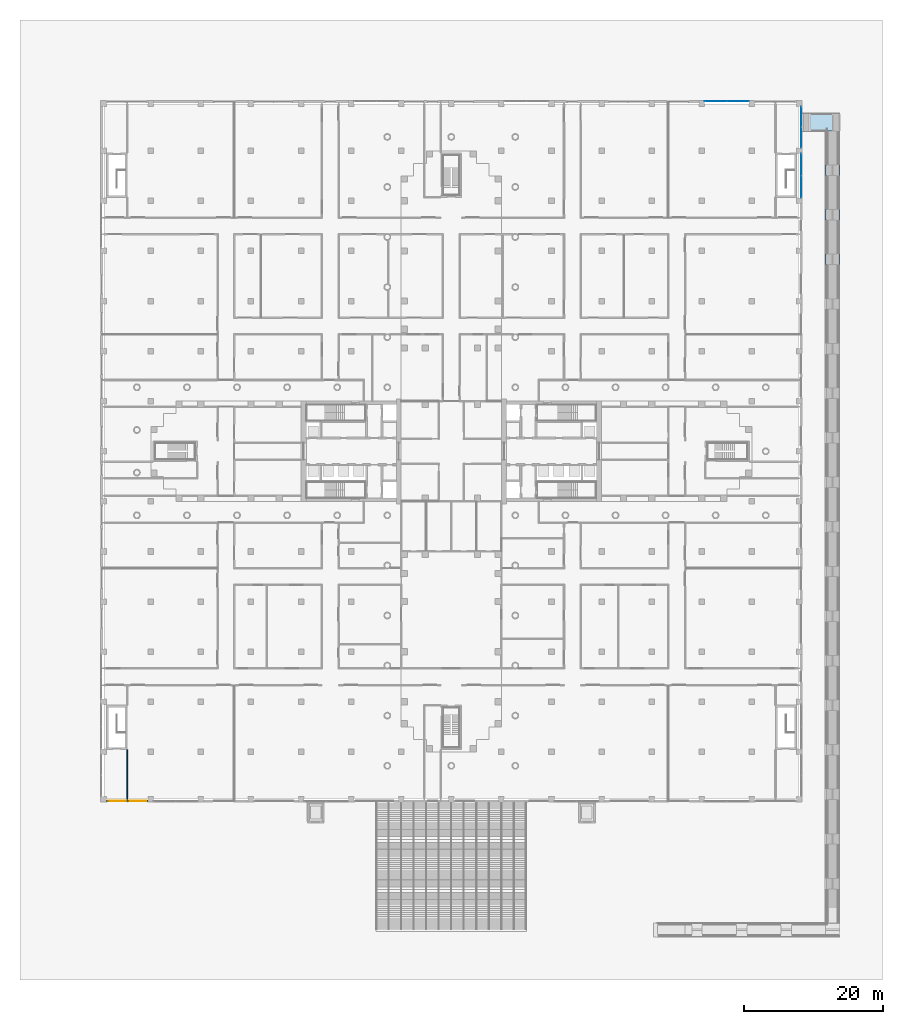
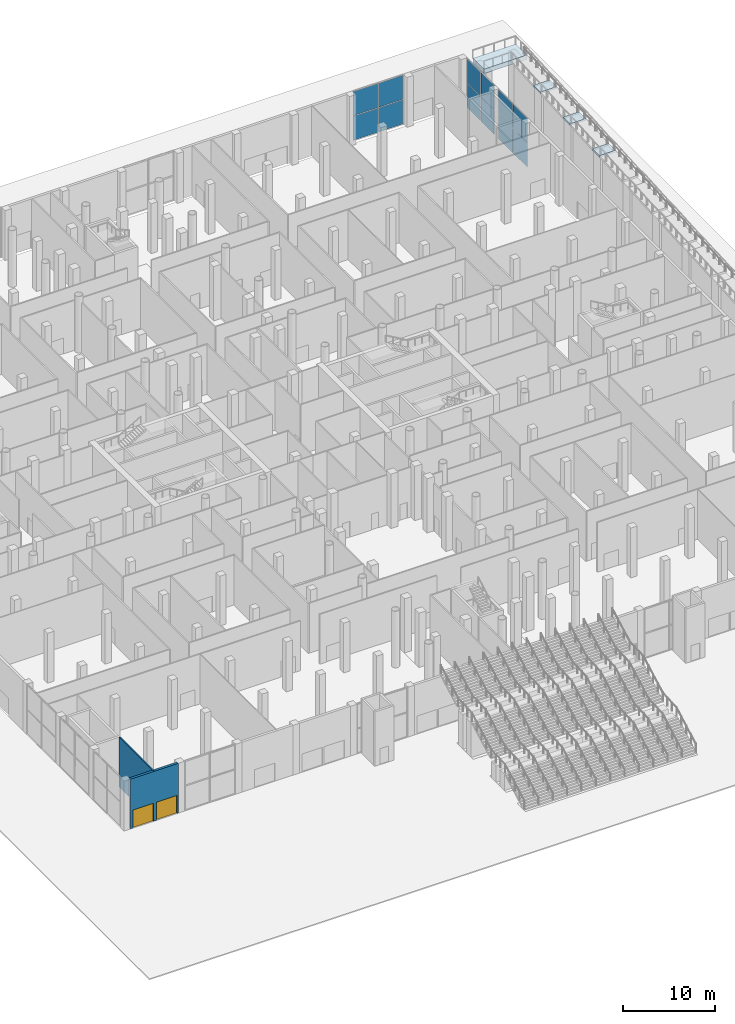
# One storey, part 14 of 44: 12 plates, 4 slabs, 2 doors, 2 walls, 2 openings, 4 elements without a shape of their own.
"""IFC4 building model written with IfcOpenShell, lengths in metres."""

from ifc_helpers import new_model, si_unit, direction, frame, frame_2d, origin, origin_2d, place, context, subcontext, project, spatial, polyline, rectangle, outline, extrude, material, layer, layer_set, type_object, element, fill, aggregate, save


model = new_model("IFC4")

# Units and contexts
model_context = context("Model", 3, precision=1e-05, world=origin(), true_north=direction((0.0, 1.0)))
body_context = subcontext(model_context, "Body", "Model", "MODEL_VIEW")
ifc_project = project(units=[si_unit("LENGTHUNIT", "METRE"), si_unit("AREAUNIT", "SQUARE_METRE"), si_unit("VOLUMEUNIT", "CUBIC_METRE"), si_unit("PLANEANGLEUNIT", "RADIAN"), si_unit("MASSUNIT", "GRAM", prefix="KILO")], contexts=[model_context])

# Site, building, storey
site_placement = place(None, origin())
site = spatial("IfcSite", under=ifc_project, at=site_placement, CompositionType="ELEMENT")
building_placement = place(site_placement, origin())
building = spatial("IfcBuilding", under=site, at=building_placement, Name="Fustian Cross Tower", CompositionType="ELEMENT")
storey_placement = place(building_placement, origin())
storey = spatial("IfcBuildingStorey", under=building, at=storey_placement, Name="L00", CompositionType="ELEMENT", Elevation=0.0)

# Curtain wall, plates
ifc_material_1 = material(Name="Glass", Category="glass")
curtain_wall_type = type_object("IfcCurtainWallType", Name="CW3 CURTAIN WALL", PredefinedType="NOTDEFINED", material=ifc_material_1)
curtain_wall_1_placement = place(storey_placement, origin())
curtain_wall_1 = element("IfcCurtainWall", 1, at=curtain_wall_1_placement, inside=storey, type_object=curtain_wall_type, Name="Curtain wall CW3", PredefinedType="NOTDEFINED")
ifc_material_2 = material(Name="Glass", Category="glass")
ifc_layer_1 = layer(ifc_material_2, 0.028076171875)
ifc_layer_set_1 = layer_set([ifc_layer_1], Name="Glass")
plate_type = type_object("IfcPlateType", Name="CW3 PANEL IGU28", PredefinedType="CURTAIN_PANEL", material=ifc_layer_set_1)
plate_1_placement = place(storey_placement, frame((50.320068359375, 38.014892578125, 0.06005859375), z_axis=(0.0, 0.0, 1.0), x_axis=(0.0, 1.0, 0.0)))
plate_1 = element("IfcPlate", 2, at=plate_1_placement, type_object=plate_type, Name="CW3 panel 1.1", PredefinedType="CURTAIN_PANEL", context=body_context, shape_type="SweptSolid", body=[
    extrude(rectangle(XDim=3.110107421875, YDim=0.028076171875, at=origin_2d()), origin(), (0.0, 0.0, 1.0), 3.2099609375),
])
plate_2_placement = place(storey_placement, frame((50.320068359375, 38.014892578125, 3.330078125), z_axis=(0.0, 0.0, 1.0), x_axis=(0.0, 1.0, 0.0)))
plate_2 = element("IfcPlate", 3, at=plate_2_placement, type_object=plate_type, Name="CW3 panel 1.2", PredefinedType="CURTAIN_PANEL", context=body_context, shape_type="SweptSolid", body=[
    extrude(rectangle(XDim=3.110107421875, YDim=0.028076171875, at=origin_2d()), origin(), (0.0, 0.0, 1.0), 3.2099609375),
])
plate_3_placement = place(storey_placement, frame((50.320068359375, 41.18505859375, 0.06005859375), z_axis=(0.0, 0.0, 1.0), x_axis=(0.0, 1.0, 0.0)))
plate_3 = element("IfcPlate", 4, at=plate_3_placement, type_object=plate_type, Name="CW3 panel 2.1", PredefinedType="CURTAIN_PANEL", context=body_context, shape_type="SweptSolid", body=[
    extrude(rectangle(XDim=3.110107421875, YDim=0.028076171875, at=origin_2d()), origin(), (0.0, 0.0, 1.0), 3.2099609375),
])
plate_4_placement = place(storey_placement, frame((50.320068359375, 41.18505859375, 3.330078125), z_axis=(0.0, 0.0, 1.0), x_axis=(0.0, 1.0, 0.0)))
plate_4 = element("IfcPlate", 5, at=plate_4_placement, type_object=plate_type, Name="CW3 panel 2.2", PredefinedType="CURTAIN_PANEL", context=body_context, shape_type="SweptSolid", body=[
    extrude(rectangle(XDim=3.110107421875, YDim=0.028076171875, at=origin_2d()), origin(), (0.0, 0.0, 1.0), 3.2099609375),
])
aggregate(curtain_wall_1, [plate_1, plate_2, plate_3, plate_4])

curtain_wall_2_placement = place(storey_placement, origin())
curtain_wall_2 = element("IfcCurtainWall", 6, at=curtain_wall_2_placement, inside=storey, type_object=curtain_wall_type, Name="Curtain wall CW3", PredefinedType="NOTDEFINED")
plate_5_placement = place(storey_placement, frame((50.320068359375, 45.114990234375, 0.06005859375), z_axis=(0.0, 0.0, 1.0), x_axis=(0.0, 1.0, 0.0)))
plate_5 = element("IfcPlate", 7, at=plate_5_placement, type_object=plate_type, Name="CW3 panel 1.1", PredefinedType="CURTAIN_PANEL", context=body_context, shape_type="SweptSolid", body=[
    extrude(rectangle(XDim=2.909912109375, YDim=0.028076171875, at=origin_2d()), origin(), (0.0, 0.0, 1.0), 3.2099609375),
])
plate_6_placement = place(storey_placement, frame((50.320068359375, 45.114990234375, 3.330078125), z_axis=(0.0, 0.0, 1.0), x_axis=(0.0, 1.0, 0.0)))
plate_6 = element("IfcPlate", 8, at=plate_6_placement, type_object=plate_type, Name="CW3 panel 1.2", PredefinedType="CURTAIN_PANEL", context=body_context, shape_type="SweptSolid", body=[
    extrude(rectangle(XDim=2.909912109375, YDim=0.028076171875, at=origin_2d()), origin(), (0.0, 0.0, 1.0), 3.2099609375),
])
plate_7_placement = place(storey_placement, frame((50.320068359375, 48.0849609375, 0.06005859375), z_axis=(0.0, 0.0, 1.0), x_axis=(0.0, 1.0, 0.0)))
plate_7 = element("IfcPlate", 9, at=plate_7_placement, type_object=plate_type, Name="CW3 panel 2.1", PredefinedType="CURTAIN_PANEL", context=body_context, shape_type="SweptSolid", body=[
    extrude(rectangle(XDim=2.909912109375, YDim=0.028076171875, at=origin_2d()), origin(), (0.0, 0.0, 1.0), 3.2099609375),
])
plate_8_placement = place(storey_placement, frame((50.320068359375, 48.0849609375, 3.330078125), z_axis=(0.0, 0.0, 1.0), x_axis=(0.0, 1.0, 0.0)))
plate_8 = element("IfcPlate", 10, at=plate_8_placement, type_object=plate_type, Name="CW3 panel 2.2", PredefinedType="CURTAIN_PANEL", context=body_context, shape_type="SweptSolid", body=[
    extrude(rectangle(XDim=2.909912109375, YDim=0.028076171875, at=origin_2d()), origin(), (0.0, 0.0, 1.0), 3.2099609375),
])
aggregate(curtain_wall_2, [plate_5, plate_6, plate_7, plate_8])

curtain_wall_3_placement = place(storey_placement, origin())
curtain_wall_3 = element("IfcCurtainWall", 11, at=curtain_wall_3_placement, inside=storey, type_object=curtain_wall_type, Name="Curtain wall CW3", PredefinedType="NOTDEFINED")
plate_9_placement = place(storey_placement, frame((41.18505859375, 50.320068359375, 0.06005859375), z_axis=(0.0, 0.0, 1.0), x_axis=(-1.0, 0.0, 0.0)))
plate_9 = element("IfcPlate", 12, at=plate_9_placement, type_object=plate_type, Name="CW3 panel 1.1", PredefinedType="CURTAIN_PANEL", context=body_context, shape_type="SweptSolid", body=[
    extrude(rectangle(XDim=3.110107421875, YDim=0.028076171875, at=origin_2d()), origin(), (0.0, 0.0, 1.0), 3.2099609375),
])
plate_10_placement = place(storey_placement, frame((41.18505859375, 50.320068359375, 3.330078125), z_axis=(0.0, 0.0, 1.0), x_axis=(-1.0, 0.0, 0.0)))
plate_10 = element("IfcPlate", 13, at=plate_10_placement, type_object=plate_type, Name="CW3 panel 1.2", PredefinedType="CURTAIN_PANEL", context=body_context, shape_type="SweptSolid", body=[
    extrude(rectangle(XDim=3.110107421875, YDim=0.028076171875, at=origin_2d()), origin(), (0.0, 0.0, 1.0), 3.2099609375),
])
plate_11_placement = place(storey_placement, frame((38.014892578125, 50.320068359375, 0.06005859375), z_axis=(0.0, 0.0, 1.0), x_axis=(-1.0, 0.0, 0.0)))
plate_11 = element("IfcPlate", 14, at=plate_11_placement, type_object=plate_type, Name="CW3 panel 2.1", PredefinedType="CURTAIN_PANEL", context=body_context, shape_type="SweptSolid", body=[
    extrude(rectangle(XDim=3.110107421875, YDim=0.028076171875, at=origin_2d()), origin(), (0.0, 0.0, 1.0), 3.2099609375),
])
plate_12_placement = place(storey_placement, frame((38.014892578125, 50.320068359375, 3.330078125), z_axis=(0.0, 0.0, 1.0), x_axis=(-1.0, 0.0, 0.0)))
plate_12 = element("IfcPlate", 15, at=plate_12_placement, type_object=plate_type, Name="CW3 panel 2.2", PredefinedType="CURTAIN_PANEL", context=body_context, shape_type="SweptSolid", body=[
    extrude(rectangle(XDim=3.110107421875, YDim=0.028076171875, at=origin_2d()), origin(), (0.0, 0.0, 1.0), 3.2099609375),
])
aggregate(curtain_wall_3, [plate_9, plate_10, plate_11, plate_12])

# Ramp, slabs
ifc_material_3 = material(Name="Concrete C40/50", Category="concrete")
ramp_placement = place(storey_placement, origin())
ramp = element("IfcRamp", 16, at=ramp_placement, inside=storey, material=ifc_material_3, Name="Public ramp", PredefinedType="STRAIGHT_RUN_RAMP")
ifc_material_4 = material(Name="Concrete C40/50", Category="concrete")
ifc_layer_2 = layer(ifc_material_4, 0.25)
ifc_layer_set_2 = layer_set([ifc_layer_2], Name="Concrete C40/50")
slab_type_1 = type_object("IfcSlabType", Name="RL1 RAMP LANDING 250", PredefinedType="LANDING", material=ifc_layer_set_2)
slab_1_placement = place(storey_placement, frame((0.0, 0.0, 5.965087890625)))
slab_1 = element("IfcSlab", 17, at=slab_1_placement, type_object=slab_type_1, Name="Ramp landing 19", PredefinedType="LANDING", context=body_context, shape_type="SweptSolid", body=[
    extrude(outline(polyline([(53.800048828125, 26.83642578125), (55.800048828125, 26.83642578125), (55.800048828125, 28.33642578125), (53.800048828125, 28.33642578125), (53.800048828125, 26.83642578125)])), origin(), (0.0, 0.0, 1.0), 0.253173828125),
])
slab_2_placement = place(storey_placement, frame((0.0, 0.0, 6.29248046875)))
slab_2 = element("IfcSlab", 18, at=slab_2_placement, type_object=slab_type_1, Name="Ramp landing 20", PredefinedType="LANDING", context=body_context, shape_type="SweptSolid", body=[
    extrude(outline(polyline([(53.800048828125, 33.245361328125), (55.800048828125, 33.245361328125), (55.800048828125, 34.745361328125), (53.800048828125, 34.745361328125), (53.800048828125, 33.245361328125)])), origin(), (0.0, 0.0, 1.0), 0.2529296875),
])
slab_3_placement = place(storey_placement, frame((0.0, 0.0, 6.61962890625)))
slab_3 = element("IfcSlab", 19, at=slab_3_placement, type_object=slab_type_1, Name="Ramp landing 21", PredefinedType="LANDING", context=body_context, shape_type="SweptSolid", body=[
    extrude(outline(polyline([(53.800048828125, 39.654541015625), (55.800048828125, 39.654541015625), (55.800048828125, 41.154541015625), (53.800048828125, 41.154541015625), (53.800048828125, 39.654541015625)])), origin(), (0.0, 0.0, 1.0), 0.253173828125),
])
ifc_material_5 = material(Name="Concrete C40/50", Category="concrete")
ifc_layer_3 = layer(ifc_material_5, 0.60009765625)
ifc_layer_set_3 = layer_set([ifc_layer_3], Name="Concrete C40/50")
slab_type_2 = type_object("IfcSlabType", Name="RL2 RAMP BRIDGE LANDING 600", PredefinedType="LANDING", material=ifc_layer_set_3)
slab_4_placement = place(storey_placement, frame((0.0, 0.0, 6.60009765625)))
slab_4 = element("IfcSlab", 20, at=slab_4_placement, type_object=slab_type_2, Name="Ramp top landing", PredefinedType="LANDING", context=body_context, shape_type="SweptSolid", body=[
    extrude(outline(polyline([(50.39990234375, 46.063720703125), (55.800048828125, 46.063720703125), (55.800048828125, 48.463623046875), (50.39990234375, 48.463623046875), (50.39990234375, 46.063720703125)])), origin(), (0.0, 0.0, 1.0), 0.599853515625),
])
aggregate(ramp, [slab_1, slab_2, slab_3, slab_4])

# Wall
ifc_material_6 = material(Name="Plasterboard on steel stud", Category="steel")
ifc_layer_4 = layer(ifc_material_6, 0.14990234375)
ifc_layer_set_4 = layer_set([ifc_layer_4], Name="Plasterboard on steel stud")
wall_type_1 = type_object("IfcWallType", Name="COMPARTMENT WALL 150 EI 60", PredefinedType="PARTITIONING", material=ifc_layer_set_4)
wall_1_placement = place(storey_placement, frame((-46.60009765625, -50.219970703125, 0.0), z_axis=(0.0, 0.0, 1.0), x_axis=(0.0, 1.0, 0.0)))
element("IfcWall", 21, at=wall_1_placement, inside=storey, type_object=wall_type_1, Name="Partition 13", PredefinedType="PARTITIONING", context=body_context, shape_type="SweptSolid", body=[
    extrude(rectangle(XDim=7.320068359375, YDim=0.14990234375, at=frame_2d((3.66015625, 0.0))), origin(), (0.0, 0.0, 1.0), 6.60009765625),
])

# Wall, openings, doors
ifc_material_7 = material(Name="Dark rainscreen cladding on blockwork", Category="masonry")
ifc_layer_5 = layer(ifc_material_7, 0.300048828125)
ifc_layer_set_5 = layer_set([ifc_layer_5], Name="Dark rainscreen cladding on blockwork")
wall_type_2 = type_object("IfcWallType", Name="EXTERNAL WALL 300 CLADDING", PredefinedType="SOLIDWALL", material=ifc_layer_set_5)
wall_2_placement = place(storey_placement, frame((-49.60009765625, -50.25, 0.0), z_axis=(0.0, 0.0, 1.0), x_axis=(1.0, 0.0, 0.0)))
wall_2 = element("IfcWall", 22, at=wall_2_placement, inside=storey, type_object=wall_type_2, Name="External wall S1", PredefinedType="SOLIDWALL", context=body_context, shape_type="SweptSolid", body=[
    extrude(rectangle(XDim=6.0, YDim=0.300048828125, at=frame_2d((3.0, 0.0))), origin(), (0.0, 0.0, 1.0), 6.60009765625),
])
opening_1_placement = place(wall_2_placement, frame((0.300048828125, 0.0, 0.0)))
opening_1 = element("IfcOpeningElement", 23, at=opening_1_placement, cuts=wall_2, Name="Opening EDP01", PredefinedType="OPENING", context=body_context, shape_type="SweptSolid", body=[
    extrude(rectangle(XDim=2.60009765625, YDim=2.39990234375, at=frame_2d((1.300048828125, 1.199951171875))), frame((0.0, 0.159912109375, 0.0), z_axis=(0.0, -1.0, 0.0), x_axis=(1.0, 0.0, 0.0)), (0.0, 0.0, 1.0), 0.320068359375),
])
opening_2_placement = place(wall_2_placement, frame((3.25, 0.0, 0.0)))
opening_2 = element("IfcOpeningElement", 24, at=opening_2_placement, cuts=wall_2, Name="Opening EDP02", PredefinedType="OPENING", context=body_context, shape_type="SweptSolid", body=[
    extrude(rectangle(XDim=2.60009765625, YDim=2.39990234375, at=frame_2d((1.300048828125, 1.199951171875))), frame((0.0, 0.159912109375, 0.0), z_axis=(0.0, -1.0, 0.0), x_axis=(1.0, 0.0, 0.0)), (0.0, 0.0, 1.0), 0.320068359375),
])
ifc_material_8 = material(Name="Aluminium and glass", Category="aluminium")
door_type = type_object("IfcDoorType", Name="ENTRANCE DOOR 2600", OperationType="DOUBLE_DOOR_SINGLE_SWING", PredefinedType="DOOR", material=ifc_material_8)
door_1_placement = place(opening_1_placement, frame((2.60009765625, 0.0, 0.0), z_axis=(0.0, 0.0, 1.0), x_axis=(-1.0, 0.0, 0.0)))
door_1 = element("IfcDoor", 25, at=door_1_placement, inside=storey, type_object=door_type, Name="Exit door 1", OperationType="DOUBLE_DOOR_DOUBLE_SWING", OverallHeight=2.39990234375, OverallWidth=2.60009765625, PredefinedType="DOOR", context=body_context, shape_type="SweptSolid", body=[
    extrude(rectangle(XDim=2.60009765625, YDim=2.39990234375, at=frame_2d((1.300048828125, 1.199951171875))), frame((0.0, 0.02490234375, 0.0), z_axis=(0.0, -1.0, 0.0), x_axis=(1.0, 0.0, 0.0)), (0.0, 0.0, 1.0), 0.050048828125),
])
fill(opening_1, door_1)
door_2_placement = place(opening_2_placement, frame((2.60009765625, 0.0, 0.0), z_axis=(0.0, 0.0, 1.0), x_axis=(-1.0, 0.0, 0.0)))
door_2 = element("IfcDoor", 26, at=door_2_placement, inside=storey, type_object=door_type, Name="Exit door 2", OperationType="DOUBLE_DOOR_DOUBLE_SWING", OverallHeight=2.39990234375, OverallWidth=2.60009765625, PredefinedType="DOOR", context=body_context, shape_type="SweptSolid", body=[
    extrude(rectangle(XDim=2.60009765625, YDim=2.39990234375, at=frame_2d((1.300048828125, 1.199951171875))), frame((0.0, 0.02490234375, 0.0), z_axis=(0.0, -1.0, 0.0), x_axis=(1.0, 0.0, 0.0)), (0.0, 0.0, 1.0), 0.050048828125),
])
fill(opening_2, door_2)

save(model, "model.ifc")
